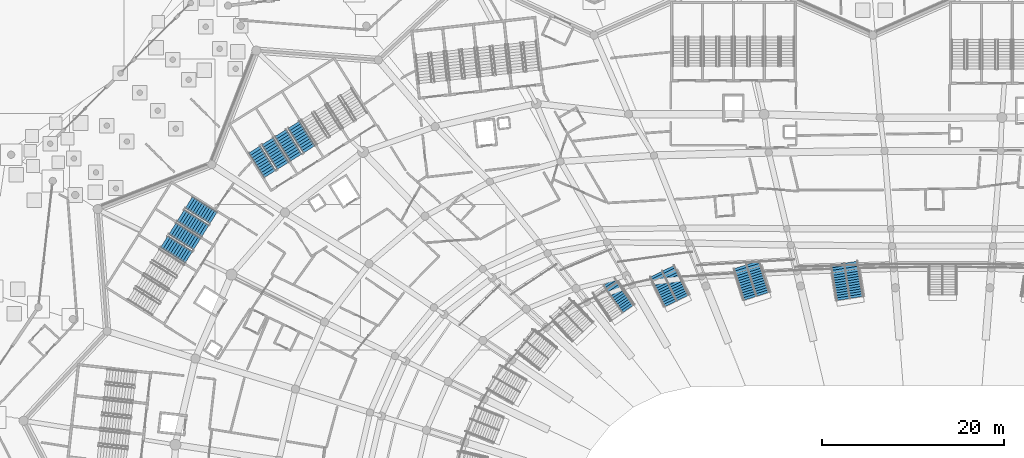
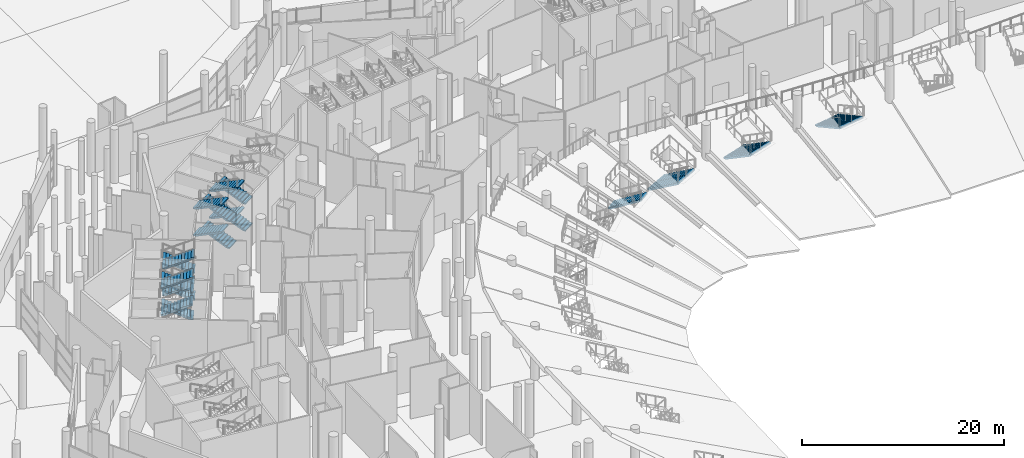
# One storey, part 174 of 255: 23 stair flights, 8 elements without a shape of their own.
"""IFC4 building model written with IfcOpenShell, lengths in metres."""

from ifc_helpers import new_model, si_unit, direction, frame, origin, place, context, subcontext, project, spatial, polyline, outline, extrude, material, type_object, element, aggregate, save


model = new_model("IFC4")

# Units and contexts
model_context = context("Model", 3, precision=1e-05, world=origin(), true_north=direction((0.0, 1.0)))
body_context = subcontext(model_context, "Body", "Model", "MODEL_VIEW")
ifc_project = project(units=[si_unit("LENGTHUNIT", "METRE"), si_unit("AREAUNIT", "SQUARE_METRE"), si_unit("VOLUMEUNIT", "CUBIC_METRE"), si_unit("PLANEANGLEUNIT", "RADIAN"), si_unit("MASSUNIT", "GRAM", prefix="KILO")], contexts=[model_context])

# Site, building, storey
site_placement = place(None, origin())
site = spatial("IfcSite", under=ifc_project, at=site_placement, CompositionType="ELEMENT")
building_placement = place(site_placement, origin())
building = spatial("IfcBuilding", under=site, at=building_placement, Name="Meseta Stadium", CompositionType="ELEMENT")
storey_placement = place(building_placement, origin())
storey = spatial("IfcBuildingStorey", under=building, at=storey_placement, Name="L00", CompositionType="ELEMENT", Elevation=0.0)

# Stair, stair flights
ifc_material_1 = material(Name="Concrete C40/50", Category="concrete")
stair_type_1 = type_object("IfcStairType", Name="Exit stair 4 flights 148 mm risers", PredefinedType="HALF_TURN_STAIR", material=ifc_material_1)
stair_1_placement = place(storey_placement, origin())
stair_1 = element("IfcStair", 1, at=stair_1_placement, inside=storey, type_object=stair_type_1, Name="ST51 L00", PredefinedType="HALF_TURN_STAIR")
ifc_material_2 = material(Name="Concrete C40/50", Category="concrete")
stair_flight_type_1 = type_object("IfcStairFlightType", Name="Exit stair flight 148 mm risers, 4 per storey", PredefinedType="STRAIGHT", material=ifc_material_2)
stair_flight_1_placement = place(storey_placement, frame((-69.650390625, 86.04150390625, 0.0), z_axis=(0.0, 0.0, 1.0), x_axis=(-0.532032074404, 0.846724200555, 0.0)))
stair_flight_1 = element("IfcStairFlight", 2, at=stair_flight_1_placement, type_object=stair_flight_type_1, Name="ST51 L00 flight 1", NumberOfRisers=11, NumberOfTreads=10, PredefinedType="STRAIGHT", RiserHeight=0.147727273, TreadLength=0.32, context=body_context, shape_type="SweptSolid", body=[
    extrude(outline(polyline([(0.0, 0.0), (0.0, 0.147705078125), (0.320068359375, 0.147705078125), (0.320068359375, 0.29541015625), (0.639892578125, 0.29541015625), (0.639892578125, 0.443115234375), (0.9599609375, 0.443115234375), (0.9599609375, 0.5908203125), (1.280029296875, 0.5908203125), (1.280029296875, 0.738525390625), (1.60009765625, 0.738525390625), (1.60009765625, 0.886474609375), (1.919921875, 0.886474609375), (1.919921875, 1.0341796875), (2.239990234375, 1.0341796875), (2.239990234375, 1.181884765625), (2.56005859375, 1.181884765625), (2.56005859375, 1.32958984375), (2.8798828125, 1.32958984375), (2.8798828125, 1.477294921875), (3.199951171875, 1.477294921875), (3.199951171875, 1.312255859375), (0.357666015625, 0.0), (0.0, 0.0)])), frame((0.0, 0.75, 0.0), z_axis=(0.0, -1.0, 0.0), x_axis=(1.0, 0.0, 0.0)), (0.0, 0.0, 1.0), 1.5),
])
stair_flight_2_placement = place(storey_placement, frame((-72.792236328125, 87.8466796875, 1.625), z_axis=(0.0, 0.0, 1.0), x_axis=(0.532032074404, -0.846724200555, 0.0)))
stair_flight_2 = element("IfcStairFlight", 3, at=stair_flight_2_placement, type_object=stair_flight_type_1, Name="ST51 L00 flight 2", NumberOfRisers=11, NumberOfTreads=10, PredefinedType="STRAIGHT", RiserHeight=0.147727273, TreadLength=0.32, context=body_context, shape_type="SweptSolid", body=[
    extrude(outline(polyline([(0.0, 0.0), (0.0, 0.147705078125), (0.320068359375, 0.147705078125), (0.320068359375, 0.29541015625), (0.639892578125, 0.29541015625), (0.639892578125, 0.443115234375), (0.9599609375, 0.443115234375), (0.9599609375, 0.5908203125), (1.280029296875, 0.5908203125), (1.280029296875, 0.738525390625), (1.60009765625, 0.738525390625), (1.60009765625, 0.886474609375), (1.919921875, 0.886474609375), (1.919921875, 1.0341796875), (2.239990234375, 1.0341796875), (2.239990234375, 1.181884765625), (2.56005859375, 1.181884765625), (2.56005859375, 1.32958984375), (2.8798828125, 1.32958984375), (2.8798828125, 1.477294921875), (3.199951171875, 1.477294921875), (3.199951171875, 1.312255859375), (0.357666015625, 0.0), (0.0, 0.0)])), frame((0.0, 0.75, 0.0), z_axis=(0.0, -1.0, 0.0), x_axis=(1.0, 0.0, 0.0)), (0.0, 0.0, 1.0), 1.5),
])
stair_flight_3_placement = place(storey_placement, frame((-69.650390625, 86.04150390625, 3.25), z_axis=(0.0, 0.0, 1.0), x_axis=(-0.532032074404, 0.846724200555, 0.0)))
stair_flight_3 = element("IfcStairFlight", 4, at=stair_flight_3_placement, type_object=stair_flight_type_1, Name="ST51 L00 flight 3", NumberOfRisers=11, NumberOfTreads=10, PredefinedType="STRAIGHT", RiserHeight=0.147727273, TreadLength=0.32, context=body_context, shape_type="SweptSolid", body=[
    extrude(outline(polyline([(0.0, 0.0), (0.0, 0.147705078125), (0.320068359375, 0.147705078125), (0.320068359375, 0.29541015625), (0.639892578125, 0.29541015625), (0.639892578125, 0.443115234375), (0.9599609375, 0.443115234375), (0.9599609375, 0.5908203125), (1.280029296875, 0.5908203125), (1.280029296875, 0.738525390625), (1.60009765625, 0.738525390625), (1.60009765625, 0.886474609375), (1.919921875, 0.886474609375), (1.919921875, 1.0341796875), (2.239990234375, 1.0341796875), (2.239990234375, 1.181884765625), (2.56005859375, 1.181884765625), (2.56005859375, 1.32958984375), (2.8798828125, 1.32958984375), (2.8798828125, 1.477294921875), (3.199951171875, 1.477294921875), (3.199951171875, 1.312255859375), (0.357666015625, 0.0), (0.0, 0.0)])), frame((0.0, 0.75, 0.0), z_axis=(0.0, -1.0, 0.0), x_axis=(1.0, 0.0, 0.0)), (0.0, 0.0, 1.0), 1.5),
])
stair_flight_4_placement = place(storey_placement, frame((-72.792236328125, 87.8466796875, 4.875), z_axis=(0.0, 0.0, 1.0), x_axis=(0.532032074404, -0.846724200555, 0.0)))
stair_flight_4 = element("IfcStairFlight", 5, at=stair_flight_4_placement, type_object=stair_flight_type_1, Name="ST51 L00 flight 4", NumberOfRisers=11, NumberOfTreads=10, PredefinedType="STRAIGHT", RiserHeight=0.147727273, TreadLength=0.32, context=body_context, shape_type="SweptSolid", body=[
    extrude(outline(polyline([(0.0, 0.0), (0.0, 0.147705078125), (0.320068359375, 0.147705078125), (0.320068359375, 0.29541015625), (0.639892578125, 0.29541015625), (0.639892578125, 0.443115234375), (0.9599609375, 0.443115234375), (0.9599609375, 0.5908203125), (1.280029296875, 0.5908203125), (1.280029296875, 0.738525390625), (1.60009765625, 0.738525390625), (1.60009765625, 0.886474609375), (1.919921875, 0.886474609375), (1.919921875, 1.0341796875), (2.239990234375, 1.0341796875), (2.239990234375, 1.181884765625), (2.56005859375, 1.181884765625), (2.56005859375, 1.32958984375), (2.8798828125, 1.32958984375), (2.8798828125, 1.477294921875), (3.199951171875, 1.477294921875), (3.199951171875, 1.312255859375), (0.357666015625, 0.0), (0.0, 0.0)])), frame((0.0, 0.75, 0.0), z_axis=(0.0, -1.0, 0.0), x_axis=(1.0, 0.0, 0.0)), (0.0, 0.0, 1.0), 1.5),
])
aggregate(stair_1, [stair_flight_1, stair_flight_2, stair_flight_3, stair_flight_4])

stair_2_placement = place(storey_placement, origin())
stair_2 = element("IfcStair", 6, at=stair_2_placement, inside=storey, type_object=stair_type_1, Name="ST52 L00", PredefinedType="HALF_TURN_STAIR")
stair_flight_5_placement = place(storey_placement, frame((-72.529052734375, 84.232666015625, 0.0), z_axis=(0.0, 0.0, 1.0), x_axis=(-0.532032074404, 0.846724200555, 0.0)))
stair_flight_5 = element("IfcStairFlight", 7, at=stair_flight_5_placement, type_object=stair_flight_type_1, Name="ST52 L00 flight 1", NumberOfRisers=11, NumberOfTreads=10, PredefinedType="STRAIGHT", RiserHeight=0.147727273, TreadLength=0.32, context=body_context, shape_type="SweptSolid", body=[
    extrude(outline(polyline([(0.0, 0.0), (0.0, 0.147705078125), (0.320068359375, 0.147705078125), (0.320068359375, 0.29541015625), (0.639892578125, 0.29541015625), (0.639892578125, 0.443115234375), (0.9599609375, 0.443115234375), (0.9599609375, 0.5908203125), (1.280029296875, 0.5908203125), (1.280029296875, 0.738525390625), (1.60009765625, 0.738525390625), (1.60009765625, 0.886474609375), (1.919921875, 0.886474609375), (1.919921875, 1.0341796875), (2.239990234375, 1.0341796875), (2.239990234375, 1.181884765625), (2.56005859375, 1.181884765625), (2.56005859375, 1.32958984375), (2.8798828125, 1.32958984375), (2.8798828125, 1.477294921875), (3.199951171875, 1.477294921875), (3.199951171875, 1.312255859375), (0.357666015625, 0.0), (0.0, 0.0)])), frame((0.0, 0.75, 0.0), z_axis=(0.0, -1.0, 0.0), x_axis=(1.0, 0.0, 0.0)), (0.0, 0.0, 1.0), 1.5),
])
stair_flight_6_placement = place(storey_placement, frame((-75.671142578125, 86.037841796875, 1.625), z_axis=(0.0, 0.0, 1.0), x_axis=(0.532032074404, -0.846724200555, 0.0)))
stair_flight_6 = element("IfcStairFlight", 8, at=stair_flight_6_placement, type_object=stair_flight_type_1, Name="ST52 L00 flight 2", NumberOfRisers=11, NumberOfTreads=10, PredefinedType="STRAIGHT", RiserHeight=0.147727273, TreadLength=0.32, context=body_context, shape_type="SweptSolid", body=[
    extrude(outline(polyline([(0.0, 0.0), (0.0, 0.147705078125), (0.320068359375, 0.147705078125), (0.320068359375, 0.29541015625), (0.639892578125, 0.29541015625), (0.639892578125, 0.443115234375), (0.9599609375, 0.443115234375), (0.9599609375, 0.5908203125), (1.280029296875, 0.5908203125), (1.280029296875, 0.738525390625), (1.60009765625, 0.738525390625), (1.60009765625, 0.886474609375), (1.919921875, 0.886474609375), (1.919921875, 1.0341796875), (2.239990234375, 1.0341796875), (2.239990234375, 1.181884765625), (2.56005859375, 1.181884765625), (2.56005859375, 1.32958984375), (2.8798828125, 1.32958984375), (2.8798828125, 1.477294921875), (3.199951171875, 1.477294921875), (3.199951171875, 1.312255859375), (0.357666015625, 0.0), (0.0, 0.0)])), frame((0.0, 0.75, 0.0), z_axis=(0.0, -1.0, 0.0), x_axis=(1.0, 0.0, 0.0)), (0.0, 0.0, 1.0), 1.5),
])
stair_flight_7_placement = place(storey_placement, frame((-72.529052734375, 84.232666015625, 3.25), z_axis=(0.0, 0.0, 1.0), x_axis=(-0.532032074404, 0.846724200555, 0.0)))
stair_flight_7 = element("IfcStairFlight", 9, at=stair_flight_7_placement, type_object=stair_flight_type_1, Name="ST52 L00 flight 3", NumberOfRisers=11, NumberOfTreads=10, PredefinedType="STRAIGHT", RiserHeight=0.147727273, TreadLength=0.32, context=body_context, shape_type="SweptSolid", body=[
    extrude(outline(polyline([(0.0, 0.0), (0.0, 0.147705078125), (0.320068359375, 0.147705078125), (0.320068359375, 0.29541015625), (0.639892578125, 0.29541015625), (0.639892578125, 0.443115234375), (0.9599609375, 0.443115234375), (0.9599609375, 0.5908203125), (1.280029296875, 0.5908203125), (1.280029296875, 0.738525390625), (1.60009765625, 0.738525390625), (1.60009765625, 0.886474609375), (1.919921875, 0.886474609375), (1.919921875, 1.0341796875), (2.239990234375, 1.0341796875), (2.239990234375, 1.181884765625), (2.56005859375, 1.181884765625), (2.56005859375, 1.32958984375), (2.8798828125, 1.32958984375), (2.8798828125, 1.477294921875), (3.199951171875, 1.477294921875), (3.199951171875, 1.312255859375), (0.357666015625, 0.0), (0.0, 0.0)])), frame((0.0, 0.75, 0.0), z_axis=(0.0, -1.0, 0.0), x_axis=(1.0, 0.0, 0.0)), (0.0, 0.0, 1.0), 1.5),
])
stair_flight_8_placement = place(storey_placement, frame((-75.671142578125, 86.037841796875, 4.875), z_axis=(0.0, 0.0, 1.0), x_axis=(0.532032074404, -0.846724200555, 0.0)))
stair_flight_8 = element("IfcStairFlight", 10, at=stair_flight_8_placement, type_object=stair_flight_type_1, Name="ST52 L00 flight 4", NumberOfRisers=11, NumberOfTreads=10, PredefinedType="STRAIGHT", RiserHeight=0.147727273, TreadLength=0.32, context=body_context, shape_type="SweptSolid", body=[
    extrude(outline(polyline([(0.0, 0.0), (0.0, 0.147705078125), (0.320068359375, 0.147705078125), (0.320068359375, 0.29541015625), (0.639892578125, 0.29541015625), (0.639892578125, 0.443115234375), (0.9599609375, 0.443115234375), (0.9599609375, 0.5908203125), (1.280029296875, 0.5908203125), (1.280029296875, 0.738525390625), (1.60009765625, 0.738525390625), (1.60009765625, 0.886474609375), (1.919921875, 0.886474609375), (1.919921875, 1.0341796875), (2.239990234375, 1.0341796875), (2.239990234375, 1.181884765625), (2.56005859375, 1.181884765625), (2.56005859375, 1.32958984375), (2.8798828125, 1.32958984375), (2.8798828125, 1.477294921875), (3.199951171875, 1.477294921875), (3.199951171875, 1.312255859375), (0.357666015625, 0.0), (0.0, 0.0)])), frame((0.0, 0.75, 0.0), z_axis=(0.0, -1.0, 0.0), x_axis=(1.0, 0.0, 0.0)), (0.0, 0.0, 1.0), 1.5),
])
aggregate(stair_2, [stair_flight_5, stair_flight_6, stair_flight_7, stair_flight_8])

stair_3_placement = place(storey_placement, origin())
stair_3 = element("IfcStair", 11, at=stair_3_placement, inside=storey, type_object=stair_type_1, Name="ST53 L00", PredefinedType="HALF_TURN_STAIR")
stair_flight_9_placement = place(storey_placement, frame((-80.175048828125, 78.500732421875, 0.0), z_axis=(0.0, 0.0, 1.0), x_axis=(-0.846724200555, 0.532032074404, 0.0)))
stair_flight_9 = element("IfcStairFlight", 12, at=stair_flight_9_placement, type_object=stair_flight_type_1, Name="ST53 L00 flight 1", NumberOfRisers=11, NumberOfTreads=10, PredefinedType="STRAIGHT", RiserHeight=0.147727273, TreadLength=0.32, context=body_context, shape_type="SweptSolid", body=[
    extrude(outline(polyline([(0.0, 0.0), (0.0, 0.147705078125), (0.320068359375, 0.147705078125), (0.320068359375, 0.29541015625), (0.639892578125, 0.29541015625), (0.639892578125, 0.443115234375), (0.9599609375, 0.443115234375), (0.9599609375, 0.5908203125), (1.280029296875, 0.5908203125), (1.280029296875, 0.738525390625), (1.60009765625, 0.738525390625), (1.60009765625, 0.886474609375), (1.919921875, 0.886474609375), (1.919921875, 1.0341796875), (2.239990234375, 1.0341796875), (2.239990234375, 1.181884765625), (2.56005859375, 1.181884765625), (2.56005859375, 1.32958984375), (2.8798828125, 1.32958984375), (2.8798828125, 1.477294921875), (3.199951171875, 1.477294921875), (3.199951171875, 1.312255859375), (0.357666015625, 0.0), (0.0, 0.0)])), frame((0.0, 0.75, 0.0), z_axis=(0.0, -1.0, 0.0), x_axis=(1.0, 0.0, 0.0)), (0.0, 0.0, 1.0), 1.5),
])
stair_flight_10_placement = place(storey_placement, frame((-83.788818359375, 78.763671875, 1.625), z_axis=(0.0, 0.0, 1.0), x_axis=(0.846724200555, -0.532032074404, 0.0)))
stair_flight_10 = element("IfcStairFlight", 13, at=stair_flight_10_placement, type_object=stair_flight_type_1, Name="ST53 L00 flight 2", NumberOfRisers=11, NumberOfTreads=10, PredefinedType="STRAIGHT", RiserHeight=0.147727273, TreadLength=0.32, context=body_context, shape_type="SweptSolid", body=[
    extrude(outline(polyline([(0.0, 0.0), (0.0, 0.147705078125), (0.320068359375, 0.147705078125), (0.320068359375, 0.29541015625), (0.639892578125, 0.29541015625), (0.639892578125, 0.443115234375), (0.9599609375, 0.443115234375), (0.9599609375, 0.5908203125), (1.280029296875, 0.5908203125), (1.280029296875, 0.738525390625), (1.60009765625, 0.738525390625), (1.60009765625, 0.886474609375), (1.919921875, 0.886474609375), (1.919921875, 1.0341796875), (2.239990234375, 1.0341796875), (2.239990234375, 1.181884765625), (2.56005859375, 1.181884765625), (2.56005859375, 1.32958984375), (2.8798828125, 1.32958984375), (2.8798828125, 1.477294921875), (3.199951171875, 1.477294921875), (3.199951171875, 1.312255859375), (0.357666015625, 0.0), (0.0, 0.0)])), frame((0.0, 0.75, 0.0), z_axis=(0.0, -1.0, 0.0), x_axis=(1.0, 0.0, 0.0)), (0.0, 0.0, 1.0), 1.5),
])
stair_flight_11_placement = place(storey_placement, frame((-80.175048828125, 78.500732421875, 3.25), z_axis=(0.0, 0.0, 1.0), x_axis=(-0.846724200555, 0.532032074404, 0.0)))
stair_flight_11 = element("IfcStairFlight", 14, at=stair_flight_11_placement, type_object=stair_flight_type_1, Name="ST53 L00 flight 3", NumberOfRisers=11, NumberOfTreads=10, PredefinedType="STRAIGHT", RiserHeight=0.147727273, TreadLength=0.32, context=body_context, shape_type="SweptSolid", body=[
    extrude(outline(polyline([(0.0, 0.0), (0.0, 0.147705078125), (0.320068359375, 0.147705078125), (0.320068359375, 0.29541015625), (0.639892578125, 0.29541015625), (0.639892578125, 0.443115234375), (0.9599609375, 0.443115234375), (0.9599609375, 0.5908203125), (1.280029296875, 0.5908203125), (1.280029296875, 0.738525390625), (1.60009765625, 0.738525390625), (1.60009765625, 0.886474609375), (1.919921875, 0.886474609375), (1.919921875, 1.0341796875), (2.239990234375, 1.0341796875), (2.239990234375, 1.181884765625), (2.56005859375, 1.181884765625), (2.56005859375, 1.32958984375), (2.8798828125, 1.32958984375), (2.8798828125, 1.477294921875), (3.199951171875, 1.477294921875), (3.199951171875, 1.312255859375), (0.357666015625, 0.0), (0.0, 0.0)])), frame((0.0, 0.75, 0.0), z_axis=(0.0, -1.0, 0.0), x_axis=(1.0, 0.0, 0.0)), (0.0, 0.0, 1.0), 1.5),
])
stair_flight_12_placement = place(storey_placement, frame((-83.788818359375, 78.763671875, 4.875), z_axis=(0.0, 0.0, 1.0), x_axis=(0.846724200555, -0.532032074404, 0.0)))
stair_flight_12 = element("IfcStairFlight", 15, at=stair_flight_12_placement, type_object=stair_flight_type_1, Name="ST53 L00 flight 4", NumberOfRisers=11, NumberOfTreads=10, PredefinedType="STRAIGHT", RiserHeight=0.147727273, TreadLength=0.32, context=body_context, shape_type="SweptSolid", body=[
    extrude(outline(polyline([(0.0, 0.0), (0.0, 0.147705078125), (0.320068359375, 0.147705078125), (0.320068359375, 0.29541015625), (0.639892578125, 0.29541015625), (0.639892578125, 0.443115234375), (0.9599609375, 0.443115234375), (0.9599609375, 0.5908203125), (1.280029296875, 0.5908203125), (1.280029296875, 0.738525390625), (1.60009765625, 0.738525390625), (1.60009765625, 0.886474609375), (1.919921875, 0.886474609375), (1.919921875, 1.0341796875), (2.239990234375, 1.0341796875), (2.239990234375, 1.181884765625), (2.56005859375, 1.181884765625), (2.56005859375, 1.32958984375), (2.8798828125, 1.32958984375), (2.8798828125, 1.477294921875), (3.199951171875, 1.477294921875), (3.199951171875, 1.312255859375), (0.357666015625, 0.0), (0.0, 0.0)])), frame((0.0, 0.75, 0.0), z_axis=(0.0, -1.0, 0.0), x_axis=(1.0, 0.0, 0.0)), (0.0, 0.0, 1.0), 1.5),
])
aggregate(stair_3, [stair_flight_9, stair_flight_10, stair_flight_11, stair_flight_12])

stair_4_placement = place(storey_placement, origin())
stair_4 = element("IfcStair", 16, at=stair_4_placement, inside=storey, type_object=stair_type_1, Name="ST54 L00", PredefinedType="HALF_TURN_STAIR")
stair_flight_13_placement = place(storey_placement, frame((-81.98388671875, 75.621826171875, 0.0), z_axis=(0.0, 0.0, 1.0), x_axis=(-0.846724200555, 0.532032074404, 0.0)))
stair_flight_13 = element("IfcStairFlight", 17, at=stair_flight_13_placement, type_object=stair_flight_type_1, Name="ST54 L00 flight 1", NumberOfRisers=11, NumberOfTreads=10, PredefinedType="STRAIGHT", RiserHeight=0.147727273, TreadLength=0.32, context=body_context, shape_type="SweptSolid", body=[
    extrude(outline(polyline([(0.0, 0.0), (0.0, 0.147705078125), (0.320068359375, 0.147705078125), (0.320068359375, 0.29541015625), (0.639892578125, 0.29541015625), (0.639892578125, 0.443115234375), (0.9599609375, 0.443115234375), (0.9599609375, 0.5908203125), (1.280029296875, 0.5908203125), (1.280029296875, 0.738525390625), (1.60009765625, 0.738525390625), (1.60009765625, 0.886474609375), (1.919921875, 0.886474609375), (1.919921875, 1.0341796875), (2.239990234375, 1.0341796875), (2.239990234375, 1.181884765625), (2.56005859375, 1.181884765625), (2.56005859375, 1.32958984375), (2.8798828125, 1.32958984375), (2.8798828125, 1.477294921875), (3.199951171875, 1.477294921875), (3.199951171875, 1.312255859375), (0.357666015625, 0.0), (0.0, 0.0)])), frame((0.0, 0.75, 0.0), z_axis=(0.0, -1.0, 0.0), x_axis=(1.0, 0.0, 0.0)), (0.0, 0.0, 1.0), 1.5),
])
stair_flight_14_placement = place(storey_placement, frame((-85.597900390625, 75.884765625, 1.625), z_axis=(0.0, 0.0, 1.0), x_axis=(0.846724200555, -0.532032074404, 0.0)))
stair_flight_14 = element("IfcStairFlight", 18, at=stair_flight_14_placement, type_object=stair_flight_type_1, Name="ST54 L00 flight 2", NumberOfRisers=11, NumberOfTreads=10, PredefinedType="STRAIGHT", RiserHeight=0.147727273, TreadLength=0.32, context=body_context, shape_type="SweptSolid", body=[
    extrude(outline(polyline([(0.0, 0.0), (0.0, 0.147705078125), (0.320068359375, 0.147705078125), (0.320068359375, 0.29541015625), (0.639892578125, 0.29541015625), (0.639892578125, 0.443115234375), (0.9599609375, 0.443115234375), (0.9599609375, 0.5908203125), (1.280029296875, 0.5908203125), (1.280029296875, 0.738525390625), (1.60009765625, 0.738525390625), (1.60009765625, 0.886474609375), (1.919921875, 0.886474609375), (1.919921875, 1.0341796875), (2.239990234375, 1.0341796875), (2.239990234375, 1.181884765625), (2.56005859375, 1.181884765625), (2.56005859375, 1.32958984375), (2.8798828125, 1.32958984375), (2.8798828125, 1.477294921875), (3.199951171875, 1.477294921875), (3.199951171875, 1.312255859375), (0.357666015625, 0.0), (0.0, 0.0)])), frame((0.0, 0.75, 0.0), z_axis=(0.0, -1.0, 0.0), x_axis=(1.0, 0.0, 0.0)), (0.0, 0.0, 1.0), 1.5),
])
stair_flight_15_placement = place(storey_placement, frame((-81.98388671875, 75.621826171875, 3.25), z_axis=(0.0, 0.0, 1.0), x_axis=(-0.846724200555, 0.532032074404, 0.0)))
stair_flight_15 = element("IfcStairFlight", 19, at=stair_flight_15_placement, type_object=stair_flight_type_1, Name="ST54 L00 flight 3", NumberOfRisers=11, NumberOfTreads=10, PredefinedType="STRAIGHT", RiserHeight=0.147727273, TreadLength=0.32, context=body_context, shape_type="SweptSolid", body=[
    extrude(outline(polyline([(0.0, 0.0), (0.0, 0.147705078125), (0.320068359375, 0.147705078125), (0.320068359375, 0.29541015625), (0.639892578125, 0.29541015625), (0.639892578125, 0.443115234375), (0.9599609375, 0.443115234375), (0.9599609375, 0.5908203125), (1.280029296875, 0.5908203125), (1.280029296875, 0.738525390625), (1.60009765625, 0.738525390625), (1.60009765625, 0.886474609375), (1.919921875, 0.886474609375), (1.919921875, 1.0341796875), (2.239990234375, 1.0341796875), (2.239990234375, 1.181884765625), (2.56005859375, 1.181884765625), (2.56005859375, 1.32958984375), (2.8798828125, 1.32958984375), (2.8798828125, 1.477294921875), (3.199951171875, 1.477294921875), (3.199951171875, 1.312255859375), (0.357666015625, 0.0), (0.0, 0.0)])), frame((0.0, 0.75, 0.0), z_axis=(0.0, -1.0, 0.0), x_axis=(1.0, 0.0, 0.0)), (0.0, 0.0, 1.0), 1.5),
])
stair_flight_16_placement = place(storey_placement, frame((-85.597900390625, 75.884765625, 4.875), z_axis=(0.0, 0.0, 1.0), x_axis=(0.846724200555, -0.532032074404, 0.0)))
stair_flight_16 = element("IfcStairFlight", 20, at=stair_flight_16_placement, type_object=stair_flight_type_1, Name="ST54 L00 flight 4", NumberOfRisers=11, NumberOfTreads=10, PredefinedType="STRAIGHT", RiserHeight=0.147727273, TreadLength=0.32, context=body_context, shape_type="SweptSolid", body=[
    extrude(outline(polyline([(0.0, 0.0), (0.0, 0.147705078125), (0.320068359375, 0.147705078125), (0.320068359375, 0.29541015625), (0.639892578125, 0.29541015625), (0.639892578125, 0.443115234375), (0.9599609375, 0.443115234375), (0.9599609375, 0.5908203125), (1.280029296875, 0.5908203125), (1.280029296875, 0.738525390625), (1.60009765625, 0.738525390625), (1.60009765625, 0.886474609375), (1.919921875, 0.886474609375), (1.919921875, 1.0341796875), (2.239990234375, 1.0341796875), (2.239990234375, 1.181884765625), (2.56005859375, 1.181884765625), (2.56005859375, 1.32958984375), (2.8798828125, 1.32958984375), (2.8798828125, 1.477294921875), (3.199951171875, 1.477294921875), (3.199951171875, 1.312255859375), (0.357666015625, 0.0), (0.0, 0.0)])), frame((0.0, 0.75, 0.0), z_axis=(0.0, -1.0, 0.0), x_axis=(1.0, 0.0, 0.0)), (0.0, 0.0, 1.0), 1.5),
])
aggregate(stair_4, [stair_flight_13, stair_flight_14, stair_flight_15, stair_flight_16])

ifc_material_3 = material(Name="Concrete C40/50", Category="concrete")
stair_type_2 = type_object("IfcStairType", Name="Vomitory stair 3000", PredefinedType="STRAIGHT_RUN_STAIR", material=ifc_material_3)
stair_5_placement = place(storey_placement, origin())
stair_5 = element("IfcStair", 21, at=stair_5_placement, inside=storey, type_object=stair_type_2, Name="Vomitory V-lower-20", PredefinedType="STRAIGHT_RUN_STAIR")
ifc_material_4 = material(Name="Concrete C40/50", Category="concrete")
stair_flight_type_2 = type_object("IfcStairFlightType", Name="Vomitory stair flight 1450", PredefinedType="STRAIGHT", material=ifc_material_4)
stair_flight_17_placement = place(storey_placement, frame((-10.038330078125, 73.644287109375, 0.0), z_axis=(0.0, 0.0, 1.0), x_axis=(0.15676715754, -0.987635589839, 0.0)))
stair_flight_17 = element("IfcStairFlight", 22, at=stair_flight_17_placement, type_object=stair_flight_type_2, Name="Vomitory V-lower-20 flight 1", NumberOfRisers=15, NumberOfTreads=14, PredefinedType="STRAIGHT", RiserHeight=0.132206, TreadLength=0.28, context=body_context, shape_type="SweptSolid", body=[
    extrude(outline(polyline([(0.0, 0.0), (0.0, 0.13232421875), (0.280029296875, 0.13232421875), (0.280029296875, 0.264404296875), (0.56005859375, 0.264404296875), (0.56005859375, 0.396728515625), (0.840087890625, 0.396728515625), (0.840087890625, 0.52880859375), (1.1201171875, 0.52880859375), (1.1201171875, 0.6611328125), (1.39990234375, 0.6611328125), (1.39990234375, 0.793212890625), (1.679931640625, 0.793212890625), (1.679931640625, 0.925537109375), (1.9599609375, 0.925537109375), (1.9599609375, 1.0576171875), (2.239990234375, 1.0576171875), (2.239990234375, 1.18994140625), (2.52001953125, 1.18994140625), (2.52001953125, 1.322021484375), (2.800048828125, 1.322021484375), (2.800048828125, 1.454345703125), (3.080078125, 1.454345703125), (3.080078125, 1.58642578125), (3.360107421875, 1.58642578125), (3.360107421875, 1.71875), (3.639892578125, 1.71875), (3.639892578125, 1.850830078125), (3.919921875, 1.850830078125), (3.919921875, 1.68505859375), (0.35107421875, 0.0), (0.0, 0.0)])), frame((0.0, 0.72509765625, 0.0), z_axis=(0.0, -1.0, 0.0), x_axis=(1.0, 0.0, 0.0)), (0.0, 0.0, 1.0), 1.449951171875),
])
stair_flight_18_placement = place(storey_placement, frame((-11.569091796875, 73.4013671875, 0.0), z_axis=(0.0, 0.0, 1.0), x_axis=(0.15676715754, -0.987635589839, 0.0)))
stair_flight_18 = element("IfcStairFlight", 23, at=stair_flight_18_placement, type_object=stair_flight_type_2, Name="Vomitory V-lower-20 flight 2", NumberOfRisers=15, NumberOfTreads=14, PredefinedType="STRAIGHT", RiserHeight=0.132206, TreadLength=0.28, context=body_context, shape_type="SweptSolid", body=[
    extrude(outline(polyline([(0.0, 0.0), (0.0, 0.13232421875), (0.280029296875, 0.13232421875), (0.280029296875, 0.264404296875), (0.56005859375, 0.264404296875), (0.56005859375, 0.396728515625), (0.840087890625, 0.396728515625), (0.840087890625, 0.52880859375), (1.1201171875, 0.52880859375), (1.1201171875, 0.6611328125), (1.39990234375, 0.6611328125), (1.39990234375, 0.793212890625), (1.679931640625, 0.793212890625), (1.679931640625, 0.925537109375), (1.9599609375, 0.925537109375), (1.9599609375, 1.0576171875), (2.239990234375, 1.0576171875), (2.239990234375, 1.18994140625), (2.52001953125, 1.18994140625), (2.52001953125, 1.322021484375), (2.800048828125, 1.322021484375), (2.800048828125, 1.454345703125), (3.080078125, 1.454345703125), (3.080078125, 1.58642578125), (3.360107421875, 1.58642578125), (3.360107421875, 1.71875), (3.639892578125, 1.71875), (3.639892578125, 1.850830078125), (3.919921875, 1.850830078125), (3.919921875, 1.68505859375), (0.35107421875, 0.0), (0.0, 0.0)])), frame((0.0, 0.72509765625, 0.0), z_axis=(0.0, -1.0, 0.0), x_axis=(1.0, 0.0, 0.0)), (0.0, 0.0, 1.0), 1.449951171875),
])
aggregate(stair_5, [stair_flight_17, stair_flight_18])

stair_6_placement = place(storey_placement, origin())
stair_6 = element("IfcStair", 24, at=stair_6_placement, inside=storey, type_object=stair_type_2, Name="Vomitory V-lower-21", PredefinedType="STRAIGHT_RUN_STAIR")
stair_flight_19_placement = place(storey_placement, frame((-20.818603515625, 73.595703125, 0.0), z_axis=(0.0, 0.0, 1.0), x_axis=(0.302579501013, -0.953124150133, 0.0)))
stair_flight_19 = element("IfcStairFlight", 25, at=stair_flight_19_placement, type_object=stair_flight_type_2, Name="Vomitory V-lower-21 flight 1", NumberOfRisers=14, NumberOfTreads=13, PredefinedType="STRAIGHT", RiserHeight=0.163589, TreadLength=0.28, context=body_context, shape_type="SweptSolid", body=[
    extrude(outline(polyline([(0.0, 0.0), (0.0, 0.16357421875), (0.280029296875, 0.16357421875), (0.280029296875, 0.3271484375), (0.56005859375, 0.3271484375), (0.56005859375, 0.49072265625), (0.840087890625, 0.49072265625), (0.840087890625, 0.654296875), (1.1201171875, 0.654296875), (1.1201171875, 0.81787109375), (1.39990234375, 0.81787109375), (1.39990234375, 0.9814453125), (1.679931640625, 0.9814453125), (1.679931640625, 1.14501953125), (1.9599609375, 1.14501953125), (1.9599609375, 1.30859375), (2.239990234375, 1.30859375), (2.239990234375, 1.472412109375), (2.52001953125, 1.472412109375), (2.52001953125, 1.635986328125), (2.800048828125, 1.635986328125), (2.800048828125, 1.799560546875), (3.080078125, 1.799560546875), (3.080078125, 1.963134765625), (3.360107421875, 1.963134765625), (3.360107421875, 2.126708984375), (3.639892578125, 2.126708984375), (3.639892578125, 1.953125), (0.297119140625, 0.0), (0.0, 0.0)])), frame((0.0, 0.72509765625, 0.0), z_axis=(0.0, -1.0, 0.0), x_axis=(1.0, 0.0, 0.0)), (0.0, 0.0, 1.0), 1.449951171875),
])
stair_flight_20_placement = place(storey_placement, frame((-22.2958984375, 73.126708984375, 0.0), z_axis=(0.0, 0.0, 1.0), x_axis=(0.302579501013, -0.953124150133, 0.0)))
stair_flight_20 = element("IfcStairFlight", 26, at=stair_flight_20_placement, type_object=stair_flight_type_2, Name="Vomitory V-lower-21 flight 2", NumberOfRisers=14, NumberOfTreads=13, PredefinedType="STRAIGHT", RiserHeight=0.163589, TreadLength=0.28, context=body_context, shape_type="SweptSolid", body=[
    extrude(outline(polyline([(0.0, 0.0), (0.0, 0.16357421875), (0.280029296875, 0.16357421875), (0.280029296875, 0.3271484375), (0.56005859375, 0.3271484375), (0.56005859375, 0.49072265625), (0.840087890625, 0.49072265625), (0.840087890625, 0.654296875), (1.1201171875, 0.654296875), (1.1201171875, 0.81787109375), (1.39990234375, 0.81787109375), (1.39990234375, 0.9814453125), (1.679931640625, 0.9814453125), (1.679931640625, 1.14501953125), (1.9599609375, 1.14501953125), (1.9599609375, 1.30859375), (2.239990234375, 1.30859375), (2.239990234375, 1.472412109375), (2.52001953125, 1.472412109375), (2.52001953125, 1.635986328125), (2.800048828125, 1.635986328125), (2.800048828125, 1.799560546875), (3.080078125, 1.799560546875), (3.080078125, 1.963134765625), (3.360107421875, 1.963134765625), (3.360107421875, 2.126708984375), (3.639892578125, 2.126708984375), (3.639892578125, 1.953125), (0.297119140625, 0.0), (0.0, 0.0)])), frame((0.0, 0.72509765625, 0.0), z_axis=(0.0, -1.0, 0.0), x_axis=(1.0, 0.0, 0.0)), (0.0, 0.0, 1.0), 1.449951171875),
])
aggregate(stair_6, [stair_flight_19, stair_flight_20])

stair_7_placement = place(storey_placement, origin())
stair_7 = element("IfcStair", 27, at=stair_7_placement, inside=storey, type_object=stair_type_2, Name="Vomitory V-lower-22", PredefinedType="STRAIGHT_RUN_STAIR")
stair_flight_21_placement = place(storey_placement, frame((-30.13427734375, 72.98974609375, 0.0), z_axis=(0.0, 0.0, 1.0), x_axis=(0.437966379942, -0.898991351483, 0.0)))
stair_flight_21 = element("IfcStairFlight", 28, at=stair_flight_21_placement, type_object=stair_flight_type_2, Name="Vomitory V-lower-22 flight 1", NumberOfRisers=14, NumberOfTreads=13, PredefinedType="STRAIGHT", RiserHeight=0.16719, TreadLength=0.28, context=body_context, shape_type="SweptSolid", body=[
    extrude(outline(polyline([(0.0, 0.0), (0.0, 0.167236328125), (0.280029296875, 0.167236328125), (0.280029296875, 0.33447265625), (0.56005859375, 0.33447265625), (0.56005859375, 0.50146484375), (0.840087890625, 0.50146484375), (0.840087890625, 0.668701171875), (1.1201171875, 0.668701171875), (1.1201171875, 0.8359375), (1.39990234375, 0.8359375), (1.39990234375, 1.003173828125), (1.679931640625, 1.003173828125), (1.679931640625, 1.17041015625), (1.9599609375, 1.17041015625), (1.9599609375, 1.33740234375), (2.239990234375, 1.33740234375), (2.239990234375, 1.504638671875), (2.52001953125, 1.504638671875), (2.52001953125, 1.671875), (2.800048828125, 1.671875), (2.800048828125, 1.839111328125), (3.080078125, 1.839111328125), (3.080078125, 2.00634765625), (3.360107421875, 2.00634765625), (3.360107421875, 2.173583984375), (3.639892578125, 2.173583984375), (3.639892578125, 1.998779296875), (0.29248046875, 0.0), (0.0, 0.0)])), frame((0.0, 0.72509765625, 0.0), z_axis=(0.0, -1.0, 0.0), x_axis=(1.0, 0.0, 0.0)), (0.0, 0.0, 1.0), 1.449951171875),
])
stair_flight_22_placement = place(storey_placement, frame((-31.527587890625, 72.310791015625, 0.0), z_axis=(0.0, 0.0, 1.0), x_axis=(0.437966379942, -0.898991351483, 0.0)))
stair_flight_22 = element("IfcStairFlight", 29, at=stair_flight_22_placement, type_object=stair_flight_type_2, Name="Vomitory V-lower-22 flight 2", NumberOfRisers=14, NumberOfTreads=13, PredefinedType="STRAIGHT", RiserHeight=0.16719, TreadLength=0.28, context=body_context, shape_type="SweptSolid", body=[
    extrude(outline(polyline([(0.0, 0.0), (0.0, 0.167236328125), (0.280029296875, 0.167236328125), (0.280029296875, 0.33447265625), (0.56005859375, 0.33447265625), (0.56005859375, 0.50146484375), (0.840087890625, 0.50146484375), (0.840087890625, 0.668701171875), (1.1201171875, 0.668701171875), (1.1201171875, 0.8359375), (1.39990234375, 0.8359375), (1.39990234375, 1.003173828125), (1.679931640625, 1.003173828125), (1.679931640625, 1.17041015625), (1.9599609375, 1.17041015625), (1.9599609375, 1.33740234375), (2.239990234375, 1.33740234375), (2.239990234375, 1.504638671875), (2.52001953125, 1.504638671875), (2.52001953125, 1.671875), (2.800048828125, 1.671875), (2.800048828125, 1.839111328125), (3.080078125, 1.839111328125), (3.080078125, 2.00634765625), (3.360107421875, 2.00634765625), (3.360107421875, 2.173583984375), (3.639892578125, 2.173583984375), (3.639892578125, 1.998779296875), (0.29248046875, 0.0), (0.0, 0.0)])), frame((0.0, 0.72509765625, 0.0), z_axis=(0.0, -1.0, 0.0), x_axis=(1.0, 0.0, 0.0)), (0.0, 0.0, 1.0), 1.449951171875),
])
aggregate(stair_7, [stair_flight_21, stair_flight_22])

# Stair, stair flight
stair_8_placement = place(storey_placement, origin())
stair_8 = element("IfcStair", 30, at=stair_8_placement, inside=storey, type_object=stair_type_2, Name="Vomitory V-lower-23", PredefinedType="STRAIGHT_RUN_STAIR")
stair_flight_23_placement = place(storey_placement, frame((-36.614013671875, 71.5166015625, 0.0), z_axis=(0.0, 0.0, 1.0), x_axis=(0.567899772853, -0.82309771473, 0.0)))
stair_flight_23 = element("IfcStairFlight", 31, at=stair_flight_23_placement, type_object=stair_flight_type_2, Name="Vomitory V-lower-23 flight 1", NumberOfRisers=14, NumberOfTreads=13, PredefinedType="STRAIGHT", RiserHeight=0.163434, TreadLength=0.28, context=body_context, shape_type="SweptSolid", body=[
    extrude(outline(polyline([(0.0, 0.0), (0.0, 0.163330078125), (0.280029296875, 0.163330078125), (0.280029296875, 0.326904296875), (0.56005859375, 0.326904296875), (0.56005859375, 0.490234375), (0.840087890625, 0.490234375), (0.840087890625, 0.65380859375), (1.1201171875, 0.65380859375), (1.1201171875, 0.817138671875), (1.39990234375, 0.817138671875), (1.39990234375, 0.980712890625), (1.679931640625, 0.980712890625), (1.679931640625, 1.14404296875), (1.9599609375, 1.14404296875), (1.9599609375, 1.307373046875), (2.239990234375, 1.307373046875), (2.239990234375, 1.470947265625), (2.52001953125, 1.470947265625), (2.52001953125, 1.63427734375), (2.800048828125, 1.63427734375), (2.800048828125, 1.7978515625), (3.080078125, 1.7978515625), (3.080078125, 1.961181640625), (3.360107421875, 1.961181640625), (3.360107421875, 2.124755859375), (3.639892578125, 2.124755859375), (3.639892578125, 1.951171875), (0.29736328125, 0.0), (0.0, 0.0)])), frame((0.0, 0.72509765625, 0.0), z_axis=(0.0, -1.0, 0.0), x_axis=(1.0, 0.0, 0.0)), (0.0, 0.0, 1.0), 1.449951171875),
])
aggregate(stair_8, [stair_flight_23])

save(model, "model.ifc")
